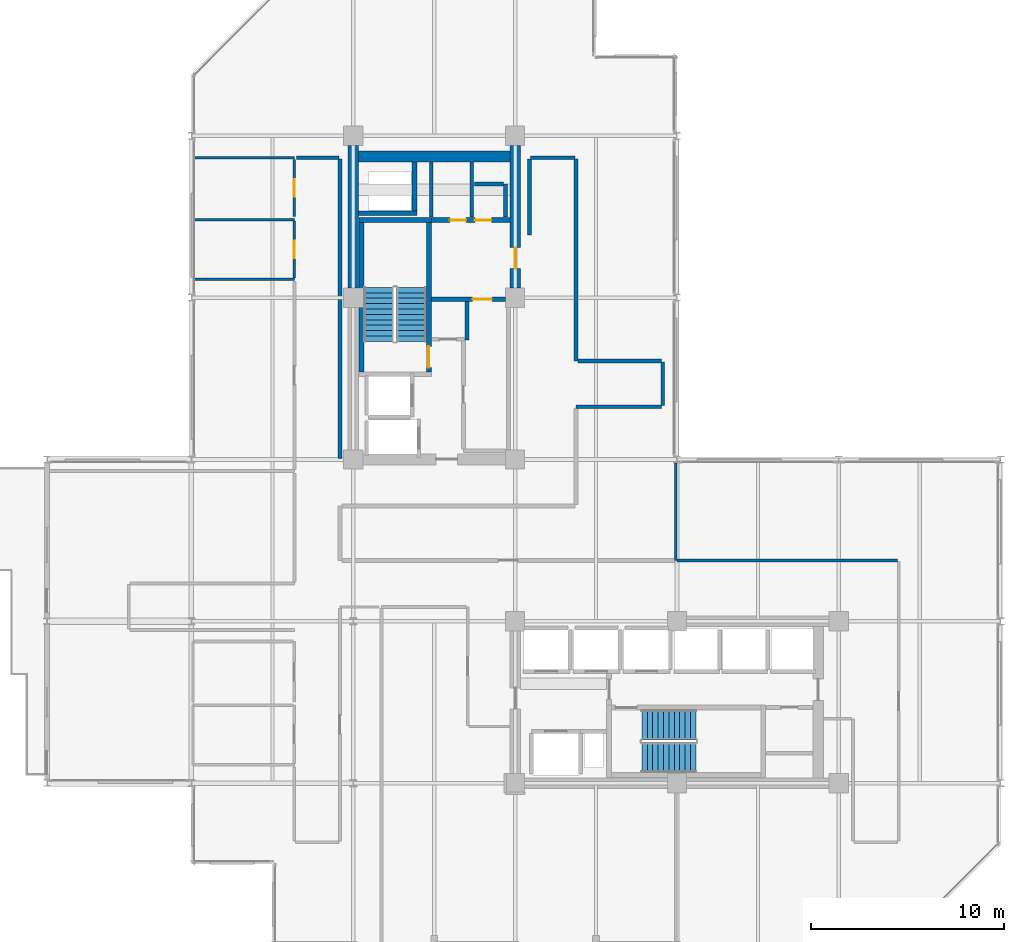
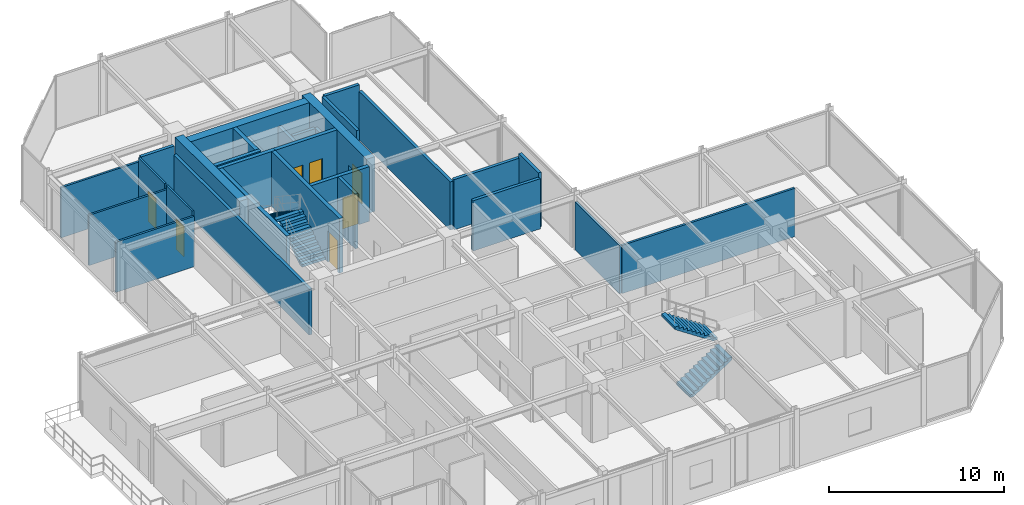
# One storey, part 26 of 29: 30 walls, 7 doors, 4 stair flights, 7 openings, 2 elements without a shape of their own.
"""IFC4 building model written with IfcOpenShell, lengths in metres."""

import ifcopenshell
import ifcopenshell.guid

model = None  # the IFC model being written
_history = None  # IfcOwnerHistory: only IFC2X3 demands one
_inside = {}  # id of a spatial element -> (the spatial element, [elements in it])
_under = {}  # id of a project, library or spatial element -> (it, [spatial elements below it])
_declared = {}  # id of a project -> (the project, [libraries it declares])
_typed = {}  # id of a type object -> (the type object, [elements of that type])
_made_of = {}  # id of a material, layer set ... -> (it, [elements and type objects made of it])


def new_model(schema):
    """Start an empty IFC model of exactly this schema.

    Asked for "IFC4X3", IfcOpenShell would pick the latest addendum, in which some entities
    have other attributes; the version numbers below select the first issue.
    IFC2X3 requires an IfcOwnerHistory on every rooted entity: one is made here for all.
    """
    global model, _history
    if schema == "IFC4X3":
        model = ifcopenshell.file(schema_version=(4, 3, 0, 0))
    else:
        model = ifcopenshell.file(schema=schema)
    _inside.clear()
    _under.clear()
    _declared.clear()
    _typed.clear()
    _made_of.clear()
    _history = None
    if model.schema == "IFC2X3":
        org = make("IfcOrganization", Name="unknown")
        user = make(
            "IfcPersonAndOrganization",
            ThePerson=make("IfcPerson", FamilyName="unknown"),
            TheOrganization=org,
        )
        app = make(
            "IfcApplication",
            ApplicationDeveloper=org,
            Version="unknown",
            ApplicationFullName="unknown",
            ApplicationIdentifier="unknown",
        )
        _history = make(
            "IfcOwnerHistory",
            OwningUser=user,
            OwningApplication=app,
            ChangeAction="ADDED",
            CreationDate=0,
        )
    return model


def make(cls, **values):
    """One entity of the class cls with the attributes given. An attribute that is None is left unset."""
    return model.create_entity(
        cls, **{name: value for name, value in values.items() if value is not None}
    )


def rooted(cls, **values):
    """An entity with a GlobalId (a new one), such as an element, a storey or a relation."""
    return make(cls, GlobalId=ifcopenshell.guid.new(), OwnerHistory=_history, **values)


def si_unit(unit_type, name, prefix=None):
    """IfcSIUnit, for example si_unit("LENGTHUNIT", "METRE", prefix="MILLI")."""
    return make("IfcSIUnit", UnitType=unit_type, Prefix=prefix, Name=name)


def assignment(units):
    """IfcUnitAssignment: the units of a project."""
    return None if units is None else make("IfcUnitAssignment", Units=units)


def point(xyz):
    """IfcCartesianPoint."""
    return None if xyz is None else make("IfcCartesianPoint", Coordinates=xyz)


def direction(xyz):
    """IfcDirection."""
    return None if xyz is None else make("IfcDirection", DirectionRatios=xyz)


def frame(location, z_axis=None, x_axis=None):
    """IfcAxis2Placement3D, a coordinate frame: its origin and axes. An axis left out is left unset."""
    return make(
        "IfcAxis2Placement3D",
        Location=point(location),
        Axis=direction(z_axis),
        RefDirection=direction(x_axis),
    )


def frame_2d(location, x_axis=None):
    """IfcAxis2Placement2D, a coordinate frame in the plane: its origin and x axis."""
    return make(
        "IfcAxis2Placement2D", Location=point(location), RefDirection=direction(x_axis)
    )


def origin():
    """The frame at (0, 0, 0) with its axes left unset."""
    return frame((0.0, 0.0, 0.0))


def place(relative_to, where):
    """IfcLocalPlacement: puts the frame where relative to a parent placement (None: the world)."""
    return make(
        "IfcLocalPlacement", PlacementRelTo=relative_to, RelativePlacement=where
    )


def context(
    kind, dimensions, precision=None, world=None, true_north=None, identifier=None
):
    """IfcGeometricRepresentationContext, for example the 3D "Model" context."""
    return make(
        "IfcGeometricRepresentationContext",
        ContextIdentifier=identifier,
        ContextType=kind,
        CoordinateSpaceDimension=dimensions,
        Precision=precision,
        WorldCoordinateSystem=world,
        TrueNorth=true_north,
    )


def subcontext(parent, identifier, kind, view, scale=None):
    """IfcGeometricRepresentationSubContext, for example "Body" below "Model"."""
    return make(
        "IfcGeometricRepresentationSubContext",
        ContextIdentifier=identifier,
        ContextType=kind,
        ParentContext=parent,
        TargetScale=scale,
        TargetView=view,
    )


def project(units=None, contexts=None):
    """IfcProject with its units and contexts."""
    return rooted(
        "IfcProject",
        Name="project",
        RepresentationContexts=contexts,
        UnitsInContext=assignment(units),
    )


def spatial(cls, under=None, at=None, **own):
    """A site, building, storey or space (cls), placed at a placement, below another one or the project."""
    s = rooted(cls, ObjectPlacement=at, **own)
    if under is not None:
        _under.setdefault(under.id(), (under, []))[1].append(s)
    return s


def polyline(points):
    """IfcPolyline through the points."""
    return make("IfcPolyline", Points=[point(p) for p in points])


def profile(cls, at=None, kind="AREA", **sizes):
    """A parametric profile (cls). Its sizes go by their IFC names, for example OverallWidth=200.0."""
    return make(cls, ProfileType=kind, Position=at, **sizes)


def rectangle(**sizes):
    """IfcRectangleProfileDef."""
    return profile("IfcRectangleProfileDef", **sizes)


def outline(outer, holes=None, kind="AREA"):
    """IfcArbitraryClosedProfileDef: a profile drawn as a closed curve; with holes, ...WithVoids."""
    if holes is None:
        return make("IfcArbitraryClosedProfileDef", ProfileType=kind, OuterCurve=outer)
    return make(
        "IfcArbitraryProfileDefWithVoids",
        ProfileType=kind,
        OuterCurve=outer,
        InnerCurves=holes,
    )


def extrude(swept, where, along, depth):
    """IfcExtrudedAreaSolid: the profile swept, set in the frame where, extruded along a direction by depth."""
    return make(
        "IfcExtrudedAreaSolid",
        SweptArea=swept,
        Position=where,
        ExtrudedDirection=direction(along),
        Depth=depth,
    )


def shape(context_of_items, identifier, shape_type, items):
    """IfcShapeRepresentation: the items that make up one representation, for example the "Body"."""
    return make(
        "IfcShapeRepresentation",
        ContextOfItems=context_of_items,
        RepresentationIdentifier=identifier,
        RepresentationType=shape_type,
        Items=items,
    )


def material(Name=None, Category=None):
    """IfcMaterial."""
    return make("IfcMaterial", Name=Name, Category=Category)


def layer(
    of_material, thickness, ventilated=None, Name=None, Category=None, Priority=None
):
    """IfcMaterialLayer: one layer of a wall or slab, of a material (None: an air gap)."""
    return make(
        "IfcMaterialLayer",
        Material=of_material,
        LayerThickness=thickness,
        IsVentilated=ventilated,
        Name=Name,
        Category=Category,
        Priority=Priority,
    )


def layer_set(layers, Name=None):
    """IfcMaterialLayerSet."""
    return make("IfcMaterialLayerSet", MaterialLayers=layers, LayerSetName=Name)


def made_of(thing, what):
    """Note that an element or type object is made of a material, layer set ...; save() writes the relation."""
    if what is not None:
        _made_of.setdefault(what.id(), (what, []))[1].append(thing)
    return thing


def type_object(cls, material=None, **own):
    """A type object (cls), such as IfcWallType, which elements share."""
    return made_of(rooted(cls, **own), material)


def element(
    cls,
    number,
    at=None,
    inside=None,
    cuts=None,
    type_object=None,
    material=None,
    context=None,
    identifier="Body",
    shape_type=None,
    held_by="IfcProductDefinitionShape",
    body=None,
    shapes=None,
    **own,
):
    """One element of the class cls, such as IfcWall. Its Tag is "e" and its number.

    at: its placement. inside: the storey or other place that contains it. cuts: it is an
    opening in that element (IfcRelVoidsElement). A single representation is given by context,
    identifier, shape_type and body (its items); several are given by shapes. held_by: the class
    of the entity that holds the representations. save() writes the other relations.
    """
    e = rooted(cls, Tag="e%d" % number, ObjectPlacement=at, **own)
    if body is not None:
        shapes = [shape(context, identifier, shape_type, body)]
    if shapes is not None:
        e.Representation = make(held_by, Representations=shapes)
    if inside is not None:
        _inside.setdefault(inside.id(), (inside, []))[1].append(e)
    if cuts is not None:
        rooted(
            "IfcRelVoidsElement", RelatingBuildingElement=cuts, RelatedOpeningElement=e
        )
    if type_object is not None:
        _typed.setdefault(type_object.id(), (type_object, []))[1].append(e)
    return made_of(e, material)


def fill(opening, filler):
    """IfcRelFillsElement: the door or window that sits in an opening."""
    return rooted(
        "IfcRelFillsElement",
        RelatingOpeningElement=opening,
        RelatedBuildingElement=filler,
    )


def aggregate(whole, parts):
    """IfcRelAggregates: a whole, such as a stair, and the parts it consists of."""
    return rooted("IfcRelAggregates", RelatingObject=whole, RelatedObjects=parts)


def save(model, path):
    """Write the relations noted so far, then the file.

    IfcRelAggregates (storeys below a building ...), IfcRelContainedInSpatialStructure (elements
    in a storey), IfcRelDefinesByType, IfcRelAssociatesMaterial and IfcRelDeclares: one each for
    every whole, place, type object, material and project.
    """
    for whole, parts in _under.values():
        aggregate(whole, parts)
    for where, things in _inside.values():
        rooted(
            "IfcRelContainedInSpatialStructure",
            RelatedElements=things,
            RelatingStructure=where,
        )
    for kind, things in _typed.values():
        rooted("IfcRelDefinesByType", RelatedObjects=things, RelatingType=kind)
    for what, things in _made_of.values():
        rooted("IfcRelAssociatesMaterial", RelatedObjects=things, RelatingMaterial=what)
    for by, libraries in _declared.values():
        rooted("IfcRelDeclares", RelatingContext=by, RelatedDefinitions=libraries)
    model.write(path)


model = new_model("IFC4")

# Units and contexts
model_context = context("Model", 3, precision=1e-05, world=origin(), true_north=direction((0.0, 1.0)))
body_context = subcontext(model_context, "Body", "Model", "MODEL_VIEW")
ifc_project = project(units=[si_unit("LENGTHUNIT", "METRE"), si_unit("AREAUNIT", "SQUARE_METRE"), si_unit("VOLUMEUNIT", "CUBIC_METRE"), si_unit("PLANEANGLEUNIT", "RADIAN"), si_unit("MASSUNIT", "GRAM", prefix="KILO")], contexts=[model_context])

# Site, building, storey
site_placement = place(None, origin())
site = spatial("IfcSite", under=ifc_project, at=site_placement, CompositionType="ELEMENT")
building_placement = place(site_placement, origin())
building = spatial("IfcBuilding", under=site, at=building_placement, Name="Nerrivon Quay Data Exchange", CompositionType="ELEMENT")
storey_placement = place(building_placement, frame((0.0, 0.0, 187.800048828125)))
storey = spatial("IfcBuildingStorey", under=building, at=storey_placement, Name="L44", CompositionType="ELEMENT", Elevation=187.800048828125)

# Walls
ifc_material_1 = material(Name="Concrete S65 (65 MPa)", Category="concrete")
ifc_layer_1 = layer(ifc_material_1, 0.550048828125)
ifc_layer_set_1 = layer_set([ifc_layer_1], Name="Concrete S65 (65 MPa)")
wall_type_1 = type_object("IfcWallType", Name="WALL-CW-700", PredefinedType="SHEAR", material=ifc_layer_set_1)
wall_1_placement = place(storey_placement, frame((8.39990234375, 34.10009765625, 0.0), z_axis=(0.0, 0.0, 1.0), x_axis=(0.0, 1.0, 0.0)))
element("IfcWall", 1, at=wall_1_placement, inside=storey, type_object=wall_type_1, Name="L44 West Split-Core Shear Wall WCW-W2", PredefinedType="SHEAR", context=body_context, shape_type="SweptSolid", body=[
    extrude(rectangle(XDim=7.39990234375, YDim=0.550048828125, at=frame_2d((3.699951171875, 0.0))), origin(), (0.0, 0.0, 1.0), 3.824951171875),
])
wall_2_placement = place(storey_placement, frame((8.675048828125, 40.925048828125, 0.0), z_axis=(0.0, 0.0, 1.0), x_axis=(1.0, 0.0, 0.0)))
element("IfcWall", 2, at=wall_2_placement, inside=storey, type_object=wall_type_1, Name="L44 West Split-Core Shear Wall WCW-N1", PredefinedType="SHEAR", context=body_context, shape_type="SweptSolid", body=[
    extrude(rectangle(XDim=7.849853515625, YDim=0.550048828125, at=frame_2d((3.9248046875, 0.0))), origin(), (0.0, 0.0, 1.0), 3.824951171875),
])

# Wall, opening, door
wall_3_placement = place(storey_placement, frame((16.800048828125, 34.10009765625, 0.0), z_axis=(0.0, 0.0, 1.0), x_axis=(0.0, 1.0, 0.0)))
wall_3 = element("IfcWall", 3, at=wall_3_placement, inside=storey, type_object=wall_type_1, Name="L44 West Split-Core Shear Wall WCW-E1", PredefinedType="SHEAR", context=body_context, shape_type="SweptSolid", body=[
    extrude(rectangle(XDim=7.39990234375, YDim=0.550048828125, at=frame_2d((3.699951171875, 0.0))), origin(), (0.0, 0.0, 1.0), 3.824951171875),
])
opening_1_placement = place(wall_3_placement, frame((1.0, 0.0, 0.0)))
opening_1 = element("IfcOpeningElement", 4, at=opening_1_placement, cuts=wall_3, Name="Opening FD-120", PredefinedType="OPENING", context=body_context, shape_type="SweptSolid", body=[
    extrude(rectangle(XDim=1.10009765625, YDim=2.14990234375, at=frame_2d((0.550048828125, 1.074951171875))), frame((0.0, 0.284912109375, 0.0), z_axis=(0.0, -1.0, 0.0), x_axis=(1.0, 0.0, 0.0)), (0.0, 0.0, 1.0), 0.570068359375),
])
ifc_material_2 = material(Name="Powder-coated galvanized steel sheet", Category="steel")
door_type_1 = type_object("IfcDoorType", Name="DR-FD120-1100", OperationType="NOTDEFINED", PredefinedType="DOOR", material=ifc_material_2)
door_1_placement = place(opening_1_placement, origin())
door_1 = element("IfcDoor", 5, at=door_1_placement, inside=storey, type_object=door_type_1, Name="L44 West Core Lobby Fire Door", OperationType="SINGLE_SWING_LEFT", OverallHeight=2.14990234375, OverallWidth=1.10009765625, PredefinedType="DOOR", context=body_context, shape_type="SweptSolid", body=[
    extrude(rectangle(XDim=1.10009765625, YDim=2.14990234375, at=frame_2d((0.550048828125, 1.074951171875))), frame((0.0, 0.02490234375, 0.0), z_axis=(0.0, -1.0, 0.0), x_axis=(1.0, 0.0, 0.0)), (0.0, 0.0, 1.0), 0.050048828125),
])
fill(opening_1, door_1)

# Walls
ifc_material_3 = material(Name="Gypsum plasterboard on cold-formed framing", Category="gypsum")
ifc_layer_2 = layer(ifc_material_3, 0.199951171875)
ifc_layer_set_2 = layer_set([ifc_layer_2], Name="Gypsum plasterboard on cold-formed framing")
wall_type_2 = type_object("IfcWallType", Name="WALL-FW-200", PredefinedType="PARTITIONING", material=ifc_layer_set_2)
wall_4_placement = place(storey_placement, frame((14.300048828125, 33.39111328125, 0.0), z_axis=(0.0, 0.0, 1.0), x_axis=(0.0, -1.0, 0.0)))
element("IfcWall", 6, at=wall_4_placement, inside=storey, type_object=wall_type_2, Name="L44 Partition Core Equipment Store", PredefinedType="PARTITIONING", context=body_context, shape_type="SweptSolid", body=[
    extrude(rectangle(XDim=1.9912109375, YDim=0.199951171875, at=frame_2d((0.99560546875, 0.0))), origin(), (0.0, 0.0, 1.0), 3.824951171875),
])
for number, where, z_axis, x_axis, name in (
    (7, (14.550048828125, 37.780029296875, 0.0), (0.0, 0.0, 1.0), (0.0, 1.0, 0.0), "L44 Partition Electrical Switchboard Closet"),
    (8, (12.449951171875, 40.64599609375, 0.0), (0.0, 0.0, 1.0), (0.0, -1.0, 0.0), "L44 Partition Electrical Switchboard Closet"),
):
    element("IfcWall", number, at=place(storey_placement, frame(where, z_axis=z_axis, x_axis=x_axis)), inside=storey, type_object=wall_type_2, Name=name, PredefinedType="PARTITIONING", context=body_context, shape_type="SweptSolid", body=[
        extrude(rectangle(XDim=2.865966796875, YDim=0.199951171875, at=frame_2d((1.43310546875, 0.0))), origin(), (0.0, 0.0, 1.0), 2.875),
    ])
wall_5_placement = place(storey_placement, frame((16.300048828125, 37.780029296875, 0.0), z_axis=(0.0, 0.0, 1.0), x_axis=(0.0, 1.0, 0.0)))
element("IfcWall", 9, at=wall_5_placement, inside=storey, type_object=wall_type_2, Name="L44 Partition Janitor Closet", PredefinedType="PARTITIONING", context=body_context, shape_type="SweptSolid", body=[
    extrude(rectangle(XDim=1.719970703125, YDim=0.199951171875, at=frame_2d((0.85986328125, 0.0))), origin(), (0.0, 0.0, 1.0), 2.875),
])
wall_6_placement = place(storey_placement, frame((16.196044921875, 39.5, 0.0), z_axis=(0.0, 0.0, 1.0), x_axis=(-1.0, 0.0, 0.0)))
element("IfcWall", 10, at=wall_6_placement, inside=storey, type_object=wall_type_2, Name="L44 Partition Janitor Closet", PredefinedType="PARTITIONING", context=body_context, shape_type="SweptSolid", body=[
    extrude(rectangle(XDim=1.506103515625, YDim=0.199951171875, at=frame_2d((0.7529296875, 0.0))), origin(), (0.0, 0.0, 1.0), 2.875),
])
wall_7_placement = place(storey_placement, frame((5.45947265625, 40.860107421875, 0.0), z_axis=(0.0, 0.0, 1.0), x_axis=(1.0, 0.0, 0.0)))
element("IfcWall", 11, at=wall_7_placement, inside=storey, type_object=wall_type_2, Name="L44 Partition Colocation Data Workspace 1", PredefinedType="PARTITIONING", context=body_context, shape_type="SweptSolid", body=[
    extrude(rectangle(XDim=2.1904296875, YDim=0.199951171875, at=frame_2d((1.09521484375, 0.0))), origin(), (0.0, 0.0, 1.0), 3.824951171875),
])
wall_8_placement = place(storey_placement, frame((7.7099609375, 40.800048828125, 0.0), z_axis=(0.0, 0.0, 1.0), x_axis=(0.0, -1.0, 0.0)))
element("IfcWall", 12, at=wall_8_placement, inside=storey, type_object=wall_type_2, Name="L44 Partition Colocation Data Workspace 1", PredefinedType="PARTITIONING", context=body_context, shape_type="SweptSolid", body=[
    extrude(rectangle(XDim=15.5400390625, YDim=0.199951171875, at=frame_2d((7.77001953125, 0.0))), origin(), (0.0, 0.0, 1.0), 3.212890625),
])
wall_9_placement = place(storey_placement, frame((17.5400390625, 36.860107421875, 0.0), z_axis=(0.0, 0.0, 1.0), x_axis=(0.0, 1.0, 0.0)))
element("IfcWall", 13, at=wall_9_placement, inside=storey, type_object=wall_type_2, Name="L44 Partition Colocation Data Workspace 1", PredefinedType="PARTITIONING", context=body_context, shape_type="SweptSolid", body=[
    extrude(rectangle(XDim=3.93994140625, YDim=0.199951171875, at=frame_2d((1.969970703125, 0.0))), origin(), (0.0, 0.0, 1.0), 3.824951171875),
])
wall_10_placement = place(storey_placement, frame((17.60009765625, 40.860107421875, 0.0), z_axis=(0.0, 0.0, 1.0), x_axis=(1.0, 0.0, 0.0)))
element("IfcWall", 14, at=wall_10_placement, inside=storey, type_object=wall_type_2, Name="L44 Partition Colocation Data Workspace 1", PredefinedType="PARTITIONING", context=body_context, shape_type="SweptSolid", body=[
    extrude(rectangle(XDim=2.2998046875, YDim=0.199951171875, at=frame_2d((1.14990234375, 0.0))), origin(), (0.0, 0.0, 1.0), 3.824951171875),
])
wall_11_placement = place(storey_placement, frame((19.9599609375, 40.800048828125, 0.0), z_axis=(0.0, 0.0, 1.0), x_axis=(0.0, -1.0, 0.0)))
element("IfcWall", 15, at=wall_11_placement, inside=storey, type_object=wall_type_2, Name="L44 Partition Colocation Data Workspace 1", PredefinedType="PARTITIONING", context=body_context, shape_type="SweptSolid", body=[
    extrude(rectangle(XDim=10.489990234375, YDim=0.199951171875, at=frame_2d((5.2451171875, 0.0))), origin(), (0.0, 0.0, 1.0), 3.364990234375),
])
wall_12_placement = place(storey_placement, frame((20.06396484375, 30.31005859375, 0.0), z_axis=(0.0, 0.0, 1.0), x_axis=(1.0, 0.0, 0.0)))
element("IfcWall", 16, at=wall_12_placement, inside=storey, type_object=wall_type_2, Name="L44 Partition Colocation Data Workspace 1", PredefinedType="PARTITIONING", context=body_context, shape_type="SweptSolid", body=[
    extrude(rectangle(XDim=4.3359375, YDim=0.199951171875, at=frame_2d((2.16796875, 0.0))), origin(), (0.0, 0.0, 1.0), 3.51806640625),
])
wall_13_placement = place(storey_placement, frame((24.4599609375, 30.25, 0.0), z_axis=(0.0, 0.0, 1.0), x_axis=(0.0, -1.0, 0.0)))
element("IfcWall", 17, at=wall_13_placement, inside=storey, type_object=wall_type_2, Name="L44 Partition Colocation Data Workspace 1", PredefinedType="PARTITIONING", context=body_context, shape_type="SweptSolid", body=[
    extrude(rectangle(XDim=2.25, YDim=0.199951171875, at=frame_2d((1.125, 0.0))), origin(), (0.0, 0.0, 1.0), 3.824951171875),
])
wall_14_placement = place(storey_placement, frame((24.39990234375, 27.93994140625, 0.0), z_axis=(0.0, 0.0, 1.0), x_axis=(-1.0, 0.0, 0.0)))
element("IfcWall", 18, at=wall_14_placement, inside=storey, type_object=wall_type_2, Name="L44 Partition Colocation Data Workspace 1", PredefinedType="PARTITIONING", context=body_context, shape_type="SweptSolid", body=[
    extrude(rectangle(XDim=4.43994140625, YDim=0.199951171875, at=frame_2d((2.219970703125, 0.0))), origin(), (0.0, 0.0, 1.0), 3.51806640625),
])

# Wall, opening, door
ifc_layer_3 = layer(ifc_material_3, 0.1201171875)
ifc_layer_set_3 = layer_set([ifc_layer_3], Name="Gypsum plasterboard on cold-formed framing")
wall_type_3 = type_object("IfcWallType", Name="WALL-PT-120", PredefinedType="PARTITIONING", material=ifc_layer_set_3)
wall_15_placement = place(storey_placement, frame((5.340087890625, 34.62158203125, 0.0), z_axis=(0.0, 0.0, 1.0), x_axis=(0.0, 1.0, 0.0)))
wall_15 = element("IfcWall", 19, at=wall_15_placement, inside=storey, type_object=wall_type_3, Name="L44 Partition Staff Shower Block", PredefinedType="PARTITIONING", context=body_context, shape_type="SweptSolid", body=[
    extrude(rectangle(XDim=2.95703125, YDim=0.1201171875, at=frame_2d((1.478515625, 0.0))), origin(), (0.0, 0.0, 1.0), 3.824951171875),
])
opening_2_placement = place(wall_15_placement, frame((1.0185546875, 0.0, 0.0)))
opening_2 = element("IfcOpeningElement", 20, at=opening_2_placement, cuts=wall_15, Name="Opening D-WC", PredefinedType="OPENING", context=body_context, shape_type="SweptSolid", body=[
    extrude(rectangle(XDim=0.919921875, YDim=2.10009765625, at=frame_2d((0.4599609375, 1.050048828125))), frame((0.0, 0.070068359375, 0.0), z_axis=(0.0, -1.0, 0.0), x_axis=(1.0, 0.0, 0.0)), (0.0, 0.0, 1.0), 0.14013671875),
])
ifc_material_4 = material(Name="Engineered hardwood timber", Category="wood")
door_type_2 = type_object("IfcDoorType", Name="DR-WC-920", OperationType="NOTDEFINED", PredefinedType="DOOR", material=ifc_material_4)
door_2_placement = place(opening_2_placement, origin())
door_2 = element("IfcDoor", 21, at=door_2_placement, inside=storey, type_object=door_type_2, Name="L44 Door Staff Shower Block", OperationType="SINGLE_SWING_RIGHT", OverallHeight=2.10009765625, OverallWidth=0.919921875, PredefinedType="DOOR", context=body_context, shape_type="SweptSolid", body=[
    extrude(rectangle(XDim=0.919921875, YDim=2.10009765625, at=frame_2d((0.4599609375, 1.050048828125))), frame((0.0, 0.02490234375, 0.0), z_axis=(0.0, -1.0, 0.0), x_axis=(1.0, 0.0, 0.0)), (0.0, 0.0, 1.0), 0.050048828125),
])
fill(opening_2, door_2)

wall_16_placement = place(storey_placement, frame((5.340087890625, 37.800048828125, 0.0), z_axis=(0.0, 0.0, 1.0), x_axis=(0.0, 1.0, 0.0)))
wall_16 = element("IfcWall", 22, at=wall_16_placement, inside=storey, type_object=wall_type_3, Name="L44 Partition Accessible Unisex Toilet", PredefinedType="PARTITIONING", context=body_context, shape_type="SweptSolid", body=[
    extrude(rectangle(XDim=2.978515625, YDim=0.1201171875, at=frame_2d((1.4892578125, 0.0))), origin(), (0.0, 0.0, 1.0), 3.824951171875),
])
opening_3_placement = place(wall_16_placement, frame((1.029296875, 0.0, 0.0)))
opening_3 = element("IfcOpeningElement", 23, at=opening_3_placement, cuts=wall_16, Name="Opening D-WC", PredefinedType="OPENING", context=body_context, shape_type="SweptSolid", body=[
    extrude(rectangle(XDim=0.919921875, YDim=2.10009765625, at=frame_2d((0.4599609375, 1.050048828125))), frame((0.0, 0.070068359375, 0.0), z_axis=(0.0, -1.0, 0.0), x_axis=(1.0, 0.0, 0.0)), (0.0, 0.0, 1.0), 0.14013671875),
])
door_3_placement = place(opening_3_placement, origin())
door_3 = element("IfcDoor", 24, at=door_3_placement, inside=storey, type_object=door_type_2, Name="L44 Door Accessible Unisex Toilet", OperationType="SINGLE_SWING_LEFT", OverallHeight=2.10009765625, OverallWidth=0.919921875, PredefinedType="DOOR", context=body_context, shape_type="SweptSolid", body=[
    extrude(rectangle(XDim=0.919921875, YDim=2.10009765625, at=frame_2d((0.4599609375, 1.050048828125))), frame((0.0, 0.02490234375, 0.0), z_axis=(0.0, -1.0, 0.0), x_axis=(1.0, 0.0, 0.0)), (0.0, 0.0, 1.0), 0.050048828125),
])
fill(opening_3, door_3)

# Walls
ifc_layer_4 = layer(ifc_material_3, 0.135009765625)
ifc_layer_set_4 = layer_set([ifc_layer_4], Name="Gypsum plasterboard on cold-formed framing")
wall_type_4 = type_object("IfcWallType", Name="WALL-PT-135", PredefinedType="PARTITIONING", material=ifc_layer_set_4)
for number, where, z_axis, x_axis, name in (
    (25, (5.340087890625, 37.64990234375, 0.0), (0.0, 0.0, 1.0), (-1.0, 0.0, 0.0), "L44 Partition Staff Shower Block"),
    (26, (0.1689453125, 34.550048828125, 0.0), (0.0, 0.0, 1.0), (1.0, 0.0, 0.0), "L44 Partition Staff Shower Block"),
    (27, (5.340087890625, 40.85009765625, 0.0), (0.0, 0.0, 1.0), (-1.0, 0.0, 0.0), "L44 Partition Accessible Unisex Toilet"),
):
    element("IfcWall", number, at=place(storey_placement, frame(where, z_axis=z_axis, x_axis=x_axis)), inside=storey, type_object=wall_type_4, Name=name, PredefinedType="PARTITIONING", context=body_context, shape_type="SweptSolid", body=[
        extrude(rectangle(XDim=5.171142578125, YDim=0.135009765625, at=frame_2d((2.58544921875, 0.0))), origin(), (0.0, 0.0, 1.0), 3.51806640625),
    ])
wall_17_placement = place(storey_placement, frame((25.137939453125, 25.0048828125, 0.0), z_axis=(0.0, 0.0, 1.0), x_axis=(0.0, -1.0, 0.0)))
element("IfcWall", 28, at=wall_17_placement, inside=storey, type_object=wall_type_4, Name="L44 Partition Technical Library", PredefinedType="PARTITIONING", context=body_context, shape_type="SweptSolid", body=[
    extrude(rectangle(XDim=5.044921875, YDim=0.135009765625, at=frame_2d((2.5224609375, 0.0))), origin(), (0.0, 0.0, 1.0), 3.370849609375),
])
ifc_layer_5 = layer(ifc_material_3, 0.14990234375)
ifc_layer_set_5 = layer_set([ifc_layer_5], Name="Gypsum plasterboard on cold-formed framing")
wall_type_5 = type_object("IfcWallType", Name="WALL-PT-150", PredefinedType="PARTITIONING", material=ifc_layer_set_5)
wall_18_placement = place(storey_placement, frame((25.20947265625, 19.9599609375, 0.0), z_axis=(0.0, 0.0, 1.0), x_axis=(1.0, 0.0, 0.0)))
element("IfcWall", 29, at=wall_18_placement, inside=storey, type_object=wall_type_5, Name="L44 Partition Technical Library", PredefinedType="PARTITIONING", context=body_context, shape_type="SweptSolid", body=[
    extrude(rectangle(XDim=11.4404296875, YDim=0.14990234375, at=frame_2d((5.72021484375, 0.0))), origin(), (0.0, 0.0, 1.0), 3.370849609375),
])
ifc_material_5 = material(Name="Concrete N50 (50 MPa)", Category="concrete")
ifc_layer_6 = layer(ifc_material_5, 0.25)
ifc_layer_set_6 = layer_set([ifc_layer_6], Name="Concrete N50 (50 MPa)")
wall_type_6 = type_object("IfcWallType", Name="WALL-SW-250", PredefinedType="SHEAR", material=ifc_layer_set_6)
wall_19_placement = place(storey_placement, frame((12.449951171875, 37.625, 0.0), z_axis=(0.0, 0.0, 1.0), x_axis=(-1.0, 0.0, 0.0)))
element("IfcWall", 30, at=wall_19_placement, inside=storey, type_object=wall_type_6, Name="L44 ST01 Structural Stair Core Wall FAR", PredefinedType="SHEAR", context=body_context, shape_type="SweptSolid", body=[
    extrude(rectangle(XDim=3.75, YDim=0.25, at=frame_2d((1.875, 0.0))), origin(), (0.0, 0.0, 1.0), 3.824951171875),
])

# Wall, opening, door
wall_20_placement = place(storey_placement, frame((12.324951171875, 29.75, 0.0), z_axis=(0.0, 0.0, 1.0), x_axis=(0.0, 1.0, 0.0)))
wall_20 = element("IfcWall", 31, at=wall_20_placement, inside=storey, type_object=wall_type_6, Name="L44 ST01 Structural Stair Core Wall LEFT", PredefinedType="SHEAR", context=body_context, shape_type="SweptSolid", body=[
    extrude(rectangle(XDim=7.75, YDim=0.25, at=frame_2d((3.875, 0.0))), origin(), (0.0, 0.0, 1.0), 3.824951171875),
])
opening_4_placement = place(wall_20_placement, frame((0.219970703125, 0.0, 0.0)))
opening_4 = element("IfcOpeningElement", 32, at=opening_4_placement, cuts=wall_20, Name="Opening FD-120", PredefinedType="OPENING", context=body_context, shape_type="SweptSolid", body=[
    extrude(rectangle(XDim=1.10009765625, YDim=2.14990234375, at=frame_2d((0.550048828125, 1.074951171875))), frame((0.0, 0.135009765625, 0.0), z_axis=(0.0, -1.0, 0.0), x_axis=(1.0, 0.0, 0.0)), (0.0, 0.0, 1.0), 0.27001953125),
])
door_4_placement = place(opening_4_placement, origin())
door_4 = element("IfcDoor", 33, at=door_4_placement, inside=storey, type_object=door_type_1, Name="L44 Protected Stair Door ST01", OperationType="SINGLE_SWING_LEFT", OverallHeight=2.14990234375, OverallWidth=1.10009765625, PredefinedType="DOOR", context=body_context, shape_type="SweptSolid", body=[
    extrude(rectangle(XDim=1.10009765625, YDim=2.14990234375, at=frame_2d((0.550048828125, 1.074951171875))), frame((0.0, 0.02490234375, 0.0), z_axis=(0.0, -1.0, 0.0), x_axis=(1.0, 0.0, 0.0)), (0.0, 0.0, 1.0), 0.050048828125),
])
fill(opening_4, door_4)

# Walls
wall_21_placement = place(storey_placement, frame((8.824951171875, 29.75, 0.0), z_axis=(0.0, 0.0, 1.0), x_axis=(0.0, 1.0, 0.0)))
element("IfcWall", 34, at=wall_21_placement, inside=storey, type_object=wall_type_6, Name="L44 ST01 Structural Stair Core Wall RIGHT", PredefinedType="SHEAR", context=body_context, shape_type="SweptSolid", body=[
    extrude(rectangle(XDim=7.75, YDim=0.25, at=frame_2d((3.875, 0.0))), origin(), (0.0, 0.0, 1.0), 3.824951171875),
])
wall_22_placement = place(storey_placement, frame((8.675048828125, 37.97509765625, 0.0), z_axis=(0.0, 0.0, 1.0), x_axis=(1.0, 0.0, 0.0)))
element("IfcWall", 35, at=wall_22_placement, inside=storey, type_object=wall_type_6, Name="L44 West Core MEP Riser Shaft Wall S", PredefinedType="SHEAR", context=body_context, shape_type="SweptSolid", body=[
    extrude(rectangle(XDim=3.02490234375, YDim=0.25, at=frame_2d((1.512451171875, 0.0))), origin(), (0.0, 0.0, 1.0), 3.824951171875),
])
wall_23_placement = place(storey_placement, frame((11.574951171875, 38.10009765625, 0.0), z_axis=(0.0, 0.0, 1.0), x_axis=(0.0, 1.0, 0.0)))
element("IfcWall", 36, at=wall_23_placement, inside=storey, type_object=wall_type_6, Name="L44 West Core MEP Riser Shaft Wall E", PredefinedType="SHEAR", context=body_context, shape_type="SweptSolid", body=[
    extrude(rectangle(XDim=2.5498046875, YDim=0.25, at=frame_2d((1.27490234375, 0.0))), origin(), (0.0, 0.0, 1.0), 3.824951171875),
])

# Wall, opening, door
wall_24_placement = place(storey_placement, frame((12.449951171875, 33.52001953125, 0.0), z_axis=(0.0, 0.0, 1.0), x_axis=(1.0, 0.0, 0.0)))
wall_24 = element("IfcWall", 37, at=wall_24_placement, inside=storey, type_object=wall_type_6, Name="L44 West Lobby Smoke-Stop Wall", PredefinedType="SHEAR", context=body_context, shape_type="SweptSolid", body=[
    extrude(rectangle(XDim=3.85009765625, YDim=0.25, at=frame_2d((1.925048828125, 0.0))), origin(), (0.0, 0.0, 1.0), 3.824951171875),
])
opening_5_placement = place(wall_24_placement, frame((2.14990234375, 0.0, 0.0)))
opening_5 = element("IfcOpeningElement", 38, at=opening_5_placement, cuts=wall_24, Name="Opening FD-60", PredefinedType="OPENING", context=body_context, shape_type="SweptSolid", body=[
    extrude(rectangle(XDim=1.0, YDim=2.14990234375, at=frame_2d((0.5, 1.074951171875))), frame((0.0, 0.135009765625, 0.0), z_axis=(0.0, -1.0, 0.0), x_axis=(1.0, 0.0, 0.0)), (0.0, 0.0, 1.0), 0.27001953125),
])
door_type_3 = type_object("IfcDoorType", Name="DR-FD60-1000", OperationType="NOTDEFINED", PredefinedType="DOOR", material=ifc_material_4)
door_5_placement = place(opening_5_placement, origin())
door_5 = element("IfcDoor", 39, at=door_5_placement, inside=storey, type_object=door_type_3, Name="L44 West Firefighting Lobby Fire Door", OperationType="SINGLE_SWING_LEFT", OverallHeight=2.14990234375, OverallWidth=1.0, PredefinedType="DOOR", context=body_context, shape_type="SweptSolid", body=[
    extrude(rectangle(XDim=1.0, YDim=2.14990234375, at=frame_2d((0.5, 1.074951171875))), frame((0.0, 0.02490234375, 0.0), z_axis=(0.0, -1.0, 0.0), x_axis=(1.0, 0.0, 0.0)), (0.0, 0.0, 1.0), 0.050048828125),
])
fill(opening_5, door_5)

# Wall, openings, doors
wall_25_placement = place(storey_placement, frame((12.449951171875, 37.625, 0.0), z_axis=(0.0, 0.0, 1.0), x_axis=(1.0, 0.0, 0.0)))
wall_25 = element("IfcWall", 40, at=wall_25_placement, inside=storey, type_object=wall_type_6, Name="L44 West Firefighting Lobby Wall", PredefinedType="SHEAR", context=body_context, shape_type="SweptSolid", body=[
    extrude(rectangle(XDim=4.074951171875, YDim=0.25, at=frame_2d((2.03759765625, 0.0))), origin(), (0.0, 0.0, 1.0), 3.824951171875),
])
opening_6_placement = place(wall_25_placement, frame((0.96044921875, 0.0, 0.0)))
opening_6 = element("IfcOpeningElement", 41, at=opening_6_placement, cuts=wall_25, Name="Opening FD-60S", PredefinedType="OPENING", context=body_context, shape_type="SweptSolid", body=[
    extrude(rectangle(XDim=0.85009765625, YDim=2.14990234375, at=frame_2d((0.425048828125, 1.074951171875))), frame((0.0, 0.135009765625, 0.0), z_axis=(0.0, -1.0, 0.0), x_axis=(1.0, 0.0, 0.0)), (0.0, 0.0, 1.0), 0.27001953125),
])
opening_7_placement = place(wall_25_placement, frame((2.264404296875, 0.0, 0.0)))
opening_7 = element("IfcOpeningElement", 42, at=opening_7_placement, cuts=wall_25, Name="Opening FD-60S", PredefinedType="OPENING", context=body_context, shape_type="SweptSolid", body=[
    extrude(rectangle(XDim=0.85009765625, YDim=2.14990234375, at=frame_2d((0.425048828125, 1.074951171875))), frame((0.0, 0.135009765625, 0.0), z_axis=(0.0, -1.0, 0.0), x_axis=(1.0, 0.0, 0.0)), (0.0, 0.0, 1.0), 0.27001953125),
])
door_type_4 = type_object("IfcDoorType", Name="DR-FD60-850", OperationType="NOTDEFINED", PredefinedType="DOOR", material=ifc_material_4)
door_6_placement = place(opening_6_placement, origin())
door_6 = element("IfcDoor", 43, at=door_6_placement, inside=storey, type_object=door_type_4, Name="L44 Door Electrical Switchboard Closet", OperationType="SINGLE_SWING_LEFT", OverallHeight=2.14990234375, OverallWidth=0.85009765625, PredefinedType="DOOR", context=body_context, shape_type="SweptSolid", body=[
    extrude(rectangle(XDim=0.85009765625, YDim=2.14990234375, at=frame_2d((0.425048828125, 1.074951171875))), frame((0.0, 0.02490234375, 0.0), z_axis=(0.0, -1.0, 0.0), x_axis=(1.0, 0.0, 0.0)), (0.0, 0.0, 1.0), 0.050048828125),
])
fill(opening_6, door_6)
door_7_placement = place(opening_7_placement, origin())
door_7 = element("IfcDoor", 44, at=door_7_placement, inside=storey, type_object=door_type_4, Name="L44 Door Janitor Closet", OperationType="SINGLE_SWING_RIGHT", OverallHeight=2.14990234375, OverallWidth=0.85009765625, PredefinedType="DOOR", context=body_context, shape_type="SweptSolid", body=[
    extrude(rectangle(XDim=0.85009765625, YDim=2.14990234375, at=frame_2d((0.425048828125, 1.074951171875))), frame((0.0, 0.02490234375, 0.0), z_axis=(0.0, -1.0, 0.0), x_axis=(1.0, 0.0, 0.0)), (0.0, 0.0, 1.0), 0.050048828125),
])
fill(opening_7, door_7)

# Stair, stair flights
stair_type = type_object("IfcStairType", Name="STAIR-DOG-41", PredefinedType="HALF_TURN_STAIR", material=ifc_material_5)
stair_1_placement = place(storey_placement, origin())
stair_1 = element("IfcStair", 45, at=stair_1_placement, inside=storey, type_object=stair_type, Name="L44 West Core Fire Stair ST01", PredefinedType="HALF_TURN_STAIR")
stair_flight_type = type_object("IfcStairFlightType", Name="FLIGHT-DOG-41", PredefinedType="STRAIGHT", material=ifc_material_5)
stair_flight_1_placement = place(storey_placement, frame((11.425048828125, 31.330078125, 0.0), z_axis=(0.0, 0.0, 1.0), x_axis=(0.0, 1.0, 0.0)))
stair_flight_1 = element("IfcStairFlight", 46, at=stair_flight_1_placement, type_object=stair_flight_type, Name="ST01 flight 1", NumberOfRisers=11, NumberOfTreads=10, PredefinedType="STRAIGHT", RiserHeight=0.186363636, TreadLength=0.28, context=body_context, shape_type="SweptSolid", body=[
    extrude(outline(polyline([(0.0, 0.0), (0.0, 0.186279296875), (0.280029296875, 0.186279296875), (0.280029296875, 0.372802734375), (0.56005859375, 0.372802734375), (0.56005859375, 0.55908203125), (0.840087890625, 0.55908203125), (0.840087890625, 0.745361328125), (1.1201171875, 0.745361328125), (1.1201171875, 0.931884765625), (1.39990234375, 0.931884765625), (1.39990234375, 1.1181640625), (1.679931640625, 1.1181640625), (1.679931640625, 1.304443359375), (1.9599609375, 1.304443359375), (1.9599609375, 1.490966796875), (2.239990234375, 1.490966796875), (2.239990234375, 1.67724609375), (2.52001953125, 1.67724609375), (2.52001953125, 1.863525390625), (2.800048828125, 1.863525390625), (2.800048828125, 2.050048828125), (2.800048828125, 1.68359375), (0.2705078125, 0.0), (0.0, 0.0)])), frame((0.0, 0.77490234375, 0.0), z_axis=(0.0, -1.0, 0.0), x_axis=(1.0, 0.0, 0.0)), (0.0, 0.0, 1.0), 1.550048828125),
])
stair_flight_2_placement = place(storey_placement, frame((9.72509765625, 34.1298828125, 2.050048828125), z_axis=(0.0, 0.0, 1.0), x_axis=(0.0, -1.0, 0.0)))
stair_flight_2 = element("IfcStairFlight", 47, at=stair_flight_2_placement, type_object=stair_flight_type, Name="ST01 flight 2", NumberOfRisers=11, NumberOfTreads=10, PredefinedType="STRAIGHT", RiserHeight=0.186363636, TreadLength=0.28, context=body_context, shape_type="SweptSolid", body=[
    extrude(outline(polyline([(0.0, 0.0), (0.0, 0.186279296875), (0.280029296875, 0.186279296875), (0.280029296875, 0.372802734375), (0.56005859375, 0.372802734375), (0.56005859375, 0.55908203125), (0.840087890625, 0.55908203125), (0.840087890625, 0.745361328125), (1.1201171875, 0.745361328125), (1.1201171875, 0.931884765625), (1.39990234375, 0.931884765625), (1.39990234375, 1.1181640625), (1.679931640625, 1.1181640625), (1.679931640625, 1.304443359375), (1.9599609375, 1.304443359375), (1.9599609375, 1.490966796875), (2.239990234375, 1.490966796875), (2.239990234375, 1.67724609375), (2.52001953125, 1.67724609375), (2.52001953125, 1.863525390625), (2.800048828125, 1.863525390625), (2.800048828125, 2.050048828125), (2.800048828125, 1.68359375), (0.2705078125, 0.0), (0.0, 0.0)])), frame((0.0, 0.77490234375, 0.0), z_axis=(0.0, -1.0, 0.0), x_axis=(1.0, 0.0, 0.0)), (0.0, 0.0, 1.0), 1.550048828125),
])
aggregate(stair_1, [stair_flight_1, stair_flight_2])

stair_2_placement = place(storey_placement, origin())
stair_2 = element("IfcStair", 48, at=stair_2_placement, inside=storey, type_object=stair_type, Name="L44 East Core Fire Stair ST02", PredefinedType="HALF_TURN_STAIR")
stair_flight_3_placement = place(storey_placement, frame((23.3798828125, 9.72509765625, 0.0), z_axis=(0.0, 0.0, 1.0), x_axis=(1.0, 0.0, 0.0)))
stair_flight_3 = element("IfcStairFlight", 49, at=stair_flight_3_placement, type_object=stair_flight_type, Name="ST02 flight 1", NumberOfRisers=11, NumberOfTreads=10, PredefinedType="STRAIGHT", RiserHeight=0.186363636, TreadLength=0.28, context=body_context, shape_type="SweptSolid", body=[
    extrude(outline(polyline([(0.0, 0.0), (0.0, 0.186279296875), (0.280029296875, 0.186279296875), (0.280029296875, 0.372802734375), (0.56005859375, 0.372802734375), (0.56005859375, 0.55908203125), (0.840087890625, 0.55908203125), (0.840087890625, 0.745361328125), (1.1201171875, 0.745361328125), (1.1201171875, 0.931884765625), (1.39990234375, 0.931884765625), (1.39990234375, 1.1181640625), (1.679931640625, 1.1181640625), (1.679931640625, 1.304443359375), (1.9599609375, 1.304443359375), (1.9599609375, 1.490966796875), (2.239990234375, 1.490966796875), (2.239990234375, 1.67724609375), (2.52001953125, 1.67724609375), (2.52001953125, 1.863525390625), (2.800048828125, 1.863525390625), (2.800048828125, 2.050048828125), (2.800048828125, 1.68359375), (0.2705078125, 0.0), (0.0, 0.0)])), frame((0.0, 0.77490234375, 0.0), z_axis=(0.0, -1.0, 0.0), x_axis=(1.0, 0.0, 0.0)), (0.0, 0.0, 1.0), 1.550048828125),
])
stair_flight_4_placement = place(storey_placement, frame((26.179931640625, 11.425048828125, 2.050048828125), z_axis=(0.0, 0.0, 1.0), x_axis=(-1.0, 0.0, 0.0)))
stair_flight_4 = element("IfcStairFlight", 50, at=stair_flight_4_placement, type_object=stair_flight_type, Name="ST02 flight 2", NumberOfRisers=11, NumberOfTreads=10, PredefinedType="STRAIGHT", RiserHeight=0.186363636, TreadLength=0.28, context=body_context, shape_type="SweptSolid", body=[
    extrude(outline(polyline([(0.0, 0.0), (0.0, 0.186279296875), (0.280029296875, 0.186279296875), (0.280029296875, 0.372802734375), (0.56005859375, 0.372802734375), (0.56005859375, 0.55908203125), (0.840087890625, 0.55908203125), (0.840087890625, 0.745361328125), (1.1201171875, 0.745361328125), (1.1201171875, 0.931884765625), (1.39990234375, 0.931884765625), (1.39990234375, 1.1181640625), (1.679931640625, 1.1181640625), (1.679931640625, 1.304443359375), (1.9599609375, 1.304443359375), (1.9599609375, 1.490966796875), (2.239990234375, 1.490966796875), (2.239990234375, 1.67724609375), (2.52001953125, 1.67724609375), (2.52001953125, 1.863525390625), (2.800048828125, 1.863525390625), (2.800048828125, 2.050048828125), (2.800048828125, 1.68359375), (0.2705078125, 0.0), (0.0, 0.0)])), frame((0.0, 0.77490234375, 0.0), z_axis=(0.0, -1.0, 0.0), x_axis=(1.0, 0.0, 0.0)), (0.0, 0.0, 1.0), 1.550048828125),
])
aggregate(stair_2, [stair_flight_3, stair_flight_4])

save(model, "model.ifc")
